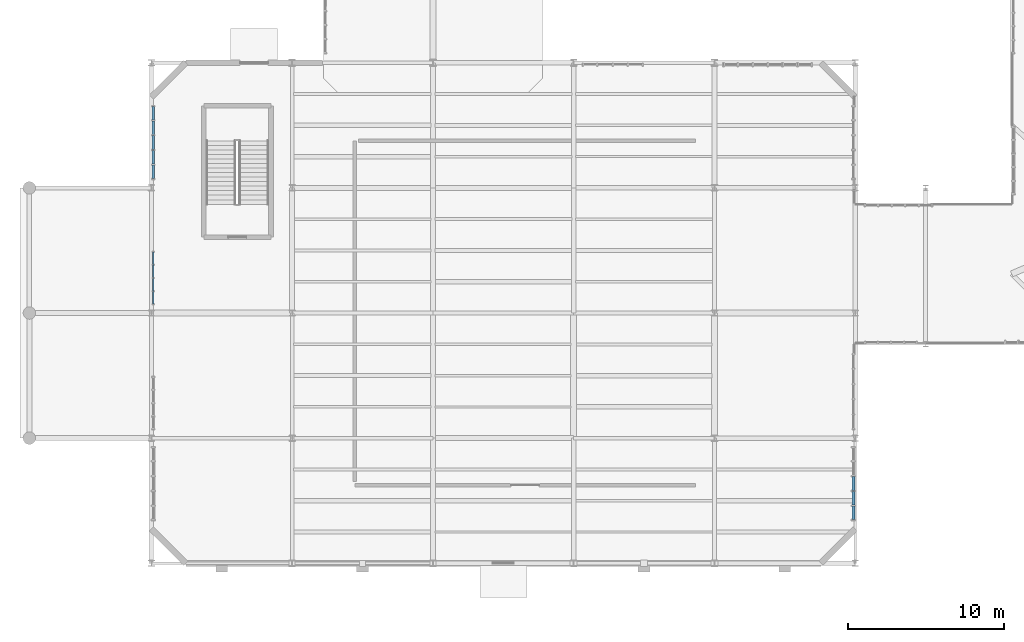
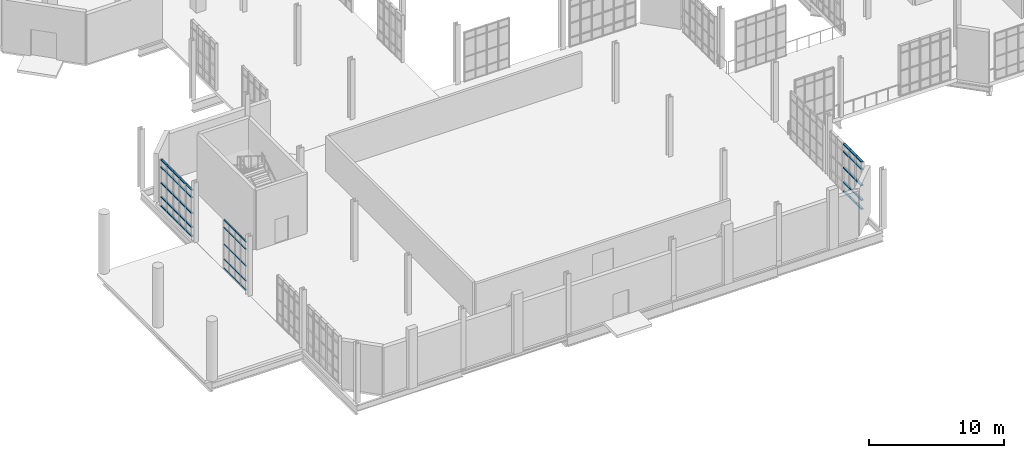
# One storey, part 112 of 189: 60 members, 3 elements without a shape of their own.
"""IFC4 building model written with IfcOpenShell, lengths in metres."""

from ifc_helpers import new_model, si_unit, direction, frame, origin, origin_2d, place, context, subcontext, project, spatial, hollow_rectangle, extrude, material, layer, layer_set, material_profile, profile_set, type_object, element, aggregate, save


model = new_model("IFC4")

# Units and contexts
model_context = context("Model", 3, precision=1e-05, world=origin(), true_north=direction((0.0, 1.0)))
body_context = subcontext(model_context, "Body", "Model", "MODEL_VIEW")
ifc_project = project(units=[si_unit("LENGTHUNIT", "METRE"), si_unit("AREAUNIT", "SQUARE_METRE"), si_unit("VOLUMEUNIT", "CUBIC_METRE"), si_unit("PLANEANGLEUNIT", "RADIAN"), si_unit("MASSUNIT", "GRAM", prefix="KILO"), si_unit("THERMODYNAMICTEMPERATUREUNIT", "KELVIN"), si_unit("POWERUNIT", "WATT")], contexts=[model_context])

# Site, building, storey
site_placement = place(None, origin())
site = spatial("IfcSite", under=ifc_project, at=site_placement, CompositionType="ELEMENT")
building_placement = place(site_placement, origin())
building = spatial("IfcBuilding", under=site, at=building_placement, Name="Zelmaris Science Centre", CompositionType="ELEMENT")
storey_placement = place(building_placement, origin())
storey = spatial("IfcBuildingStorey", under=building, at=storey_placement, Name="L00", CompositionType="ELEMENT", Elevation=0.0)

# Curtain wall, members
ifc_material = material(Name="Anodised architectural aluminium 6063-T6", Category="aluminium")
ifc_layer_1 = layer(ifc_material, 0.219970703125, Name="Anodised architectural aluminium 6063-T6")
ifc_layer_set_1 = layer_set([ifc_layer_1], Name="Anodised architectural aluminium 6063-T6")
curtain_wall_type_1 = type_object("IfcCurtainWallType", Name="Curtain Wall CW-04", PredefinedType="USERDEFINED", material=ifc_layer_set_1)
curtain_wall_1_placement = place(storey_placement, origin())
curtain_wall_1 = element("IfcCurtainWall", 1, at=curtain_wall_1_placement, inside=storey, type_object=curtain_wall_type_1, Name="L00 Unitised curtain wall 4", ObjectType="GLAZED CURTAIN WALL", PredefinedType="USERDEFINED")
ifc_material_profile_1 = material_profile(ifc_material, hollow_rectangle(XDim=0.06005859375, YDim=0.110107421875, WallThickness=0.0029296875, at=origin_2d()), Name="ALU-TRN-60X110")
ifc_profile_set_1 = profile_set([ifc_material_profile_1], Name="Anodised architectural aluminium 6063-T6")
member_type_1 = type_object("IfcMemberType", Name="ALU-TRN-60X110", PredefinedType="USERDEFINED", material=ifc_profile_set_1)
member_1_placement = place(storey_placement, frame((9.1201171875, 24.592041015625, 0.010986328125), z_axis=(0.0, 1.0, 0.0), x_axis=(0.0, 0.0, 1.0)))
member_1 = element("IfcMember", 2, at=member_1_placement, type_object=member_type_1, Name="CW-04 transom 1.1", ObjectType="TRANSOM", PredefinedType="USERDEFINED", context=body_context, shape_type="SweptSolid", body=[
    extrude(hollow_rectangle(XDim=0.06005859375, YDim=0.110107421875, WallThickness=0.0029296875, at=origin_2d()), origin(), (0.0, 0.0, 1.0), 0.77197265625),
])
member_2_placement = place(storey_placement, frame((9.1201171875, 24.592041015625, 0.8349609375), z_axis=(0.0, 1.0, 0.0), x_axis=(0.0, 0.0, 1.0)))
member_2 = element("IfcMember", 3, at=member_2_placement, type_object=member_type_1, Name="CW-04 transom 1.2", ObjectType="TRANSOM", PredefinedType="USERDEFINED", context=body_context, shape_type="SweptSolid", body=[
    extrude(hollow_rectangle(XDim=0.06005859375, YDim=0.110107421875, WallThickness=0.0029296875, at=origin_2d()), origin(), (0.0, 0.0, 1.0), 0.77197265625),
])
member_3_placement = place(storey_placement, frame((9.1201171875, 24.592041015625, 2.1884765625), z_axis=(0.0, 1.0, 0.0), x_axis=(0.0, 0.0, 1.0)))
member_3 = element("IfcMember", 4, at=member_3_placement, type_object=member_type_1, Name="CW-04 transom 1.3", ObjectType="TRANSOM", PredefinedType="USERDEFINED", context=body_context, shape_type="SweptSolid", body=[
    extrude(hollow_rectangle(XDim=0.06005859375, YDim=0.110107421875, WallThickness=0.0029296875, at=origin_2d()), origin(), (0.0, 0.0, 1.0), 0.77197265625),
])
member_4_placement = place(storey_placement, frame((9.1201171875, 24.592041015625, 3.69189453125), z_axis=(0.0, 1.0, 0.0), x_axis=(0.0, 0.0, 1.0)))
member_4 = element("IfcMember", 5, at=member_4_placement, type_object=member_type_1, Name="CW-04 transom 1.4", ObjectType="TRANSOM", PredefinedType="USERDEFINED", context=body_context, shape_type="SweptSolid", body=[
    extrude(hollow_rectangle(XDim=0.06005859375, YDim=0.110107421875, WallThickness=0.0029296875, at=origin_2d()), origin(), (0.0, 0.0, 1.0), 0.77197265625),
])
member_5_placement = place(storey_placement, frame((9.1201171875, 24.592041015625, 4.365966796875), z_axis=(0.0, 1.0, 0.0), x_axis=(0.0, 0.0, 1.0)))
member_5 = element("IfcMember", 6, at=member_5_placement, type_object=member_type_1, Name="CW-04 transom 1.5", ObjectType="TRANSOM", PredefinedType="USERDEFINED", context=body_context, shape_type="SweptSolid", body=[
    extrude(hollow_rectangle(XDim=0.06005859375, YDim=0.110107421875, WallThickness=0.0029296875, at=origin_2d()), origin(), (0.0, 0.0, 1.0), 0.77197265625),
])
member_6_placement = place(storey_placement, frame((9.1201171875, 25.416015625, 0.010986328125), z_axis=(0.0, 1.0, 0.0), x_axis=(0.0, 0.0, 1.0)))
member_6 = element("IfcMember", 7, at=member_6_placement, type_object=member_type_1, Name="CW-04 transom 2.1", ObjectType="TRANSOM", PredefinedType="USERDEFINED", context=body_context, shape_type="SweptSolid", body=[
    extrude(hollow_rectangle(XDim=0.06005859375, YDim=0.110107421875, WallThickness=0.0029296875, at=origin_2d()), origin(), (0.0, 0.0, 1.0), 0.798095703125),
])
member_7_placement = place(storey_placement, frame((9.1201171875, 25.416015625, 0.8349609375), z_axis=(0.0, 1.0, 0.0), x_axis=(0.0, 0.0, 1.0)))
member_7 = element("IfcMember", 8, at=member_7_placement, type_object=member_type_1, Name="CW-04 transom 2.2", ObjectType="TRANSOM", PredefinedType="USERDEFINED", context=body_context, shape_type="SweptSolid", body=[
    extrude(hollow_rectangle(XDim=0.06005859375, YDim=0.110107421875, WallThickness=0.0029296875, at=origin_2d()), origin(), (0.0, 0.0, 1.0), 0.798095703125),
])
member_8_placement = place(storey_placement, frame((9.1201171875, 25.416015625, 2.1884765625), z_axis=(0.0, 1.0, 0.0), x_axis=(0.0, 0.0, 1.0)))
member_8 = element("IfcMember", 9, at=member_8_placement, type_object=member_type_1, Name="CW-04 transom 2.3", ObjectType="TRANSOM", PredefinedType="USERDEFINED", context=body_context, shape_type="SweptSolid", body=[
    extrude(hollow_rectangle(XDim=0.06005859375, YDim=0.110107421875, WallThickness=0.0029296875, at=origin_2d()), origin(), (0.0, 0.0, 1.0), 0.798095703125),
])
member_9_placement = place(storey_placement, frame((9.1201171875, 25.416015625, 3.69189453125), z_axis=(0.0, 1.0, 0.0), x_axis=(0.0, 0.0, 1.0)))
member_9 = element("IfcMember", 10, at=member_9_placement, type_object=member_type_1, Name="CW-04 transom 2.4", ObjectType="TRANSOM", PredefinedType="USERDEFINED", context=body_context, shape_type="SweptSolid", body=[
    extrude(hollow_rectangle(XDim=0.06005859375, YDim=0.110107421875, WallThickness=0.0029296875, at=origin_2d()), origin(), (0.0, 0.0, 1.0), 0.798095703125),
])
member_10_placement = place(storey_placement, frame((9.1201171875, 25.416015625, 4.365966796875), z_axis=(0.0, 1.0, 0.0), x_axis=(0.0, 0.0, 1.0)))
member_10 = element("IfcMember", 11, at=member_10_placement, type_object=member_type_1, Name="CW-04 transom 2.5", ObjectType="TRANSOM", PredefinedType="USERDEFINED", context=body_context, shape_type="SweptSolid", body=[
    extrude(hollow_rectangle(XDim=0.06005859375, YDim=0.110107421875, WallThickness=0.0029296875, at=origin_2d()), origin(), (0.0, 0.0, 1.0), 0.798095703125),
])
member_11_placement = place(storey_placement, frame((9.1201171875, 26.26611328125, 0.010986328125), z_axis=(0.0, 1.0, 0.0), x_axis=(0.0, 0.0, 1.0)))
member_11 = element("IfcMember", 12, at=member_11_placement, type_object=member_type_1, Name="CW-04 transom 3.1", ObjectType="TRANSOM", PredefinedType="USERDEFINED", context=body_context, shape_type="SweptSolid", body=[
    extrude(hollow_rectangle(XDim=0.06005859375, YDim=0.110107421875, WallThickness=0.0029296875, at=origin_2d()), origin(), (0.0, 0.0, 1.0), 0.7978515625),
])
member_12_placement = place(storey_placement, frame((9.1201171875, 26.26611328125, 0.8349609375), z_axis=(0.0, 1.0, 0.0), x_axis=(0.0, 0.0, 1.0)))
member_12 = element("IfcMember", 13, at=member_12_placement, type_object=member_type_1, Name="CW-04 transom 3.2", ObjectType="TRANSOM", PredefinedType="USERDEFINED", context=body_context, shape_type="SweptSolid", body=[
    extrude(hollow_rectangle(XDim=0.06005859375, YDim=0.110107421875, WallThickness=0.0029296875, at=origin_2d()), origin(), (0.0, 0.0, 1.0), 0.7978515625),
])
member_13_placement = place(storey_placement, frame((9.1201171875, 26.26611328125, 2.1884765625), z_axis=(0.0, 1.0, 0.0), x_axis=(0.0, 0.0, 1.0)))
member_13 = element("IfcMember", 14, at=member_13_placement, type_object=member_type_1, Name="CW-04 transom 3.3", ObjectType="TRANSOM", PredefinedType="USERDEFINED", context=body_context, shape_type="SweptSolid", body=[
    extrude(hollow_rectangle(XDim=0.06005859375, YDim=0.110107421875, WallThickness=0.0029296875, at=origin_2d()), origin(), (0.0, 0.0, 1.0), 0.7978515625),
])
member_14_placement = place(storey_placement, frame((9.1201171875, 26.26611328125, 3.69189453125), z_axis=(0.0, 1.0, 0.0), x_axis=(0.0, 0.0, 1.0)))
member_14 = element("IfcMember", 15, at=member_14_placement, type_object=member_type_1, Name="CW-04 transom 3.4", ObjectType="TRANSOM", PredefinedType="USERDEFINED", context=body_context, shape_type="SweptSolid", body=[
    extrude(hollow_rectangle(XDim=0.06005859375, YDim=0.110107421875, WallThickness=0.0029296875, at=origin_2d()), origin(), (0.0, 0.0, 1.0), 0.7978515625),
])
member_15_placement = place(storey_placement, frame((9.1201171875, 26.26611328125, 4.365966796875), z_axis=(0.0, 1.0, 0.0), x_axis=(0.0, 0.0, 1.0)))
member_15 = element("IfcMember", 16, at=member_15_placement, type_object=member_type_1, Name="CW-04 transom 3.5", ObjectType="TRANSOM", PredefinedType="USERDEFINED", context=body_context, shape_type="SweptSolid", body=[
    extrude(hollow_rectangle(XDim=0.06005859375, YDim=0.110107421875, WallThickness=0.0029296875, at=origin_2d()), origin(), (0.0, 0.0, 1.0), 0.7978515625),
])
member_16_placement = place(storey_placement, frame((9.1201171875, 27.115966796875, 0.010986328125), z_axis=(0.0, 1.0, 0.0), x_axis=(0.0, 0.0, 1.0)))
member_16 = element("IfcMember", 17, at=member_16_placement, type_object=member_type_1, Name="CW-04 transom 4.1", ObjectType="TRANSOM", PredefinedType="USERDEFINED", context=body_context, shape_type="SweptSolid", body=[
    extrude(hollow_rectangle(XDim=0.06005859375, YDim=0.110107421875, WallThickness=0.0029296875, at=origin_2d()), origin(), (0.0, 0.0, 1.0), 0.77197265625),
])
member_17_placement = place(storey_placement, frame((9.1201171875, 27.115966796875, 0.8349609375), z_axis=(0.0, 1.0, 0.0), x_axis=(0.0, 0.0, 1.0)))
member_17 = element("IfcMember", 18, at=member_17_placement, type_object=member_type_1, Name="CW-04 transom 4.2", ObjectType="TRANSOM", PredefinedType="USERDEFINED", context=body_context, shape_type="SweptSolid", body=[
    extrude(hollow_rectangle(XDim=0.06005859375, YDim=0.110107421875, WallThickness=0.0029296875, at=origin_2d()), origin(), (0.0, 0.0, 1.0), 0.77197265625),
])
member_18_placement = place(storey_placement, frame((9.1201171875, 27.115966796875, 2.1884765625), z_axis=(0.0, 1.0, 0.0), x_axis=(0.0, 0.0, 1.0)))
member_18 = element("IfcMember", 19, at=member_18_placement, type_object=member_type_1, Name="CW-04 transom 4.3", ObjectType="TRANSOM", PredefinedType="USERDEFINED", context=body_context, shape_type="SweptSolid", body=[
    extrude(hollow_rectangle(XDim=0.06005859375, YDim=0.110107421875, WallThickness=0.0029296875, at=origin_2d()), origin(), (0.0, 0.0, 1.0), 0.77197265625),
])
member_19_placement = place(storey_placement, frame((9.1201171875, 27.115966796875, 3.69189453125), z_axis=(0.0, 1.0, 0.0), x_axis=(0.0, 0.0, 1.0)))
member_19 = element("IfcMember", 20, at=member_19_placement, type_object=member_type_1, Name="CW-04 transom 4.4", ObjectType="TRANSOM", PredefinedType="USERDEFINED", context=body_context, shape_type="SweptSolid", body=[
    extrude(hollow_rectangle(XDim=0.06005859375, YDim=0.110107421875, WallThickness=0.0029296875, at=origin_2d()), origin(), (0.0, 0.0, 1.0), 0.77197265625),
])
member_20_placement = place(storey_placement, frame((9.1201171875, 27.115966796875, 4.365966796875), z_axis=(0.0, 1.0, 0.0), x_axis=(0.0, 0.0, 1.0)))
member_20 = element("IfcMember", 21, at=member_20_placement, type_object=member_type_1, Name="CW-04 transom 4.5", ObjectType="TRANSOM", PredefinedType="USERDEFINED", context=body_context, shape_type="SweptSolid", body=[
    extrude(hollow_rectangle(XDim=0.06005859375, YDim=0.110107421875, WallThickness=0.0029296875, at=origin_2d()), origin(), (0.0, 0.0, 1.0), 0.77197265625),
])
aggregate(curtain_wall_1, [member_1, member_2, member_3, member_4, member_5, member_6, member_7, member_8, member_9, member_10, member_11, member_12, member_13, member_14, member_15, member_16, member_17, member_18, member_19, member_20])

ifc_layer_2 = layer(ifc_material, 0.199951171875, Name="Anodised architectural aluminium 6063-T6")
ifc_layer_set_2 = layer_set([ifc_layer_2], Name="Anodised architectural aluminium 6063-T6")
curtain_wall_type_2 = type_object("IfcCurtainWallType", Name="Curtain Wall CW-02", PredefinedType="USERDEFINED", material=ifc_layer_set_2)
curtain_wall_2_placement = place(storey_placement, origin())
curtain_wall_2 = element("IfcCurtainWall", 22, at=curtain_wall_2_placement, inside=storey, type_object=curtain_wall_type_2, Name="L00 Unitised curtain wall 6", ObjectType="GLAZED CURTAIN WALL", PredefinedType="USERDEFINED")
ifc_material_profile_2 = material_profile(ifc_material, hollow_rectangle(XDim=0.074951171875, YDim=0.159912109375, WallThickness=0.00390625, at=origin_2d()), Name="ALU-TRN-75X160")
ifc_profile_set_2 = profile_set([ifc_material_profile_2], Name="Anodised architectural aluminium 6063-T6")
member_type_2 = type_object("IfcMemberType", Name="ALU-TRN-75X160", PredefinedType="USERDEFINED", material=ifc_profile_set_2)
member_21_placement = place(storey_placement, frame((9.1201171875, 32.60693359375, 0.0185546875), z_axis=(0.0, 1.0, 0.0), x_axis=(0.0, 0.0, 1.0)))
member_21 = element("IfcMember", 23, at=member_21_placement, type_object=member_type_2, Name="CW-02 transom 1.1", ObjectType="TRANSOM", PredefinedType="USERDEFINED", context=body_context, shape_type="SweptSolid", body=[
    extrude(hollow_rectangle(XDim=0.074951171875, YDim=0.159912109375, WallThickness=0.00390625, at=origin_2d()), origin(), (0.0, 0.0, 1.0), 0.843505859375),
])
member_22_placement = place(storey_placement, frame((9.1201171875, 32.60693359375, 0.8349609375), z_axis=(0.0, 1.0, 0.0), x_axis=(0.0, 0.0, 1.0)))
member_22 = element("IfcMember", 24, at=member_22_placement, type_object=member_type_2, Name="CW-02 transom 1.2", ObjectType="TRANSOM", PredefinedType="USERDEFINED", context=body_context, shape_type="SweptSolid", body=[
    extrude(hollow_rectangle(XDim=0.074951171875, YDim=0.159912109375, WallThickness=0.00390625, at=origin_2d()), origin(), (0.0, 0.0, 1.0), 0.843505859375),
])
member_23_placement = place(storey_placement, frame((9.1201171875, 32.60693359375, 2.10546875), z_axis=(0.0, 1.0, 0.0), x_axis=(0.0, 0.0, 1.0)))
member_23 = element("IfcMember", 25, at=member_23_placement, type_object=member_type_2, Name="CW-02 transom 1.3", ObjectType="TRANSOM", PredefinedType="USERDEFINED", context=body_context, shape_type="SweptSolid", body=[
    extrude(hollow_rectangle(XDim=0.074951171875, YDim=0.159912109375, WallThickness=0.00390625, at=origin_2d()), origin(), (0.0, 0.0, 1.0), 0.843505859375),
])
member_24_placement = place(storey_placement, frame((9.1201171875, 32.60693359375, 3.52587890625), z_axis=(0.0, 1.0, 0.0), x_axis=(0.0, 0.0, 1.0)))
member_24 = element("IfcMember", 26, at=member_24_placement, type_object=member_type_2, Name="CW-02 transom 1.4", ObjectType="TRANSOM", PredefinedType="USERDEFINED", context=body_context, shape_type="SweptSolid", body=[
    extrude(hollow_rectangle(XDim=0.074951171875, YDim=0.159912109375, WallThickness=0.00390625, at=origin_2d()), origin(), (0.0, 0.0, 1.0), 0.843505859375),
])
member_25_placement = place(storey_placement, frame((9.1201171875, 32.60693359375, 4.1923828125), z_axis=(0.0, 1.0, 0.0), x_axis=(0.0, 0.0, 1.0)))
member_25 = element("IfcMember", 27, at=member_25_placement, type_object=member_type_2, Name="CW-02 transom 1.5", ObjectType="TRANSOM", PredefinedType="USERDEFINED", context=body_context, shape_type="SweptSolid", body=[
    extrude(hollow_rectangle(XDim=0.074951171875, YDim=0.159912109375, WallThickness=0.00390625, at=origin_2d()), origin(), (0.0, 0.0, 1.0), 0.843505859375),
])
member_26_placement = place(storey_placement, frame((9.1201171875, 33.517578125, 0.0185546875), z_axis=(0.0, 1.0, 0.0), x_axis=(0.0, 0.0, 1.0)))
member_26 = element("IfcMember", 28, at=member_26_placement, type_object=member_type_2, Name="CW-02 transom 2.1", ObjectType="TRANSOM", PredefinedType="USERDEFINED", context=body_context, shape_type="SweptSolid", body=[
    extrude(hollow_rectangle(XDim=0.074951171875, YDim=0.159912109375, WallThickness=0.00390625, at=origin_2d()), origin(), (0.0, 0.0, 1.0), 0.876953125),
])
member_27_placement = place(storey_placement, frame((9.1201171875, 33.517578125, 0.8349609375), z_axis=(0.0, 1.0, 0.0), x_axis=(0.0, 0.0, 1.0)))
member_27 = element("IfcMember", 29, at=member_27_placement, type_object=member_type_2, Name="CW-02 transom 2.2", ObjectType="TRANSOM", PredefinedType="USERDEFINED", context=body_context, shape_type="SweptSolid", body=[
    extrude(hollow_rectangle(XDim=0.074951171875, YDim=0.159912109375, WallThickness=0.00390625, at=origin_2d()), origin(), (0.0, 0.0, 1.0), 0.876953125),
])
member_28_placement = place(storey_placement, frame((9.1201171875, 33.517578125, 2.10546875), z_axis=(0.0, 1.0, 0.0), x_axis=(0.0, 0.0, 1.0)))
member_28 = element("IfcMember", 30, at=member_28_placement, type_object=member_type_2, Name="CW-02 transom 2.3", ObjectType="TRANSOM", PredefinedType="USERDEFINED", context=body_context, shape_type="SweptSolid", body=[
    extrude(hollow_rectangle(XDim=0.074951171875, YDim=0.159912109375, WallThickness=0.00390625, at=origin_2d()), origin(), (0.0, 0.0, 1.0), 0.876953125),
])
member_29_placement = place(storey_placement, frame((9.1201171875, 33.517578125, 3.52587890625), z_axis=(0.0, 1.0, 0.0), x_axis=(0.0, 0.0, 1.0)))
member_29 = element("IfcMember", 31, at=member_29_placement, type_object=member_type_2, Name="CW-02 transom 2.4", ObjectType="TRANSOM", PredefinedType="USERDEFINED", context=body_context, shape_type="SweptSolid", body=[
    extrude(hollow_rectangle(XDim=0.074951171875, YDim=0.159912109375, WallThickness=0.00390625, at=origin_2d()), origin(), (0.0, 0.0, 1.0), 0.876953125),
])
member_30_placement = place(storey_placement, frame((9.1201171875, 33.517578125, 4.1923828125), z_axis=(0.0, 1.0, 0.0), x_axis=(0.0, 0.0, 1.0)))
member_30 = element("IfcMember", 32, at=member_30_placement, type_object=member_type_2, Name="CW-02 transom 2.5", ObjectType="TRANSOM", PredefinedType="USERDEFINED", context=body_context, shape_type="SweptSolid", body=[
    extrude(hollow_rectangle(XDim=0.074951171875, YDim=0.159912109375, WallThickness=0.00390625, at=origin_2d()), origin(), (0.0, 0.0, 1.0), 0.876953125),
])
member_31_placement = place(storey_placement, frame((9.1201171875, 34.46142578125, 0.0185546875), z_axis=(0.0, 1.0, 0.0), x_axis=(0.0, 0.0, 1.0)))
member_31 = element("IfcMember", 33, at=member_31_placement, type_object=member_type_2, Name="CW-02 transom 3.1", ObjectType="TRANSOM", PredefinedType="USERDEFINED", context=body_context, shape_type="SweptSolid", body=[
    extrude(hollow_rectangle(XDim=0.074951171875, YDim=0.159912109375, WallThickness=0.00390625, at=origin_2d()), origin(), (0.0, 0.0, 1.0), 0.876953125),
])
member_32_placement = place(storey_placement, frame((9.1201171875, 34.46142578125, 0.8349609375), z_axis=(0.0, 1.0, 0.0), x_axis=(0.0, 0.0, 1.0)))
member_32 = element("IfcMember", 34, at=member_32_placement, type_object=member_type_2, Name="CW-02 transom 3.2", ObjectType="TRANSOM", PredefinedType="USERDEFINED", context=body_context, shape_type="SweptSolid", body=[
    extrude(hollow_rectangle(XDim=0.074951171875, YDim=0.159912109375, WallThickness=0.00390625, at=origin_2d()), origin(), (0.0, 0.0, 1.0), 0.876953125),
])
member_33_placement = place(storey_placement, frame((9.1201171875, 34.46142578125, 2.10546875), z_axis=(0.0, 1.0, 0.0), x_axis=(0.0, 0.0, 1.0)))
member_33 = element("IfcMember", 35, at=member_33_placement, type_object=member_type_2, Name="CW-02 transom 3.3", ObjectType="TRANSOM", PredefinedType="USERDEFINED", context=body_context, shape_type="SweptSolid", body=[
    extrude(hollow_rectangle(XDim=0.074951171875, YDim=0.159912109375, WallThickness=0.00390625, at=origin_2d()), origin(), (0.0, 0.0, 1.0), 0.876953125),
])
member_34_placement = place(storey_placement, frame((9.1201171875, 34.46142578125, 3.52587890625), z_axis=(0.0, 1.0, 0.0), x_axis=(0.0, 0.0, 1.0)))
member_34 = element("IfcMember", 36, at=member_34_placement, type_object=member_type_2, Name="CW-02 transom 3.4", ObjectType="TRANSOM", PredefinedType="USERDEFINED", context=body_context, shape_type="SweptSolid", body=[
    extrude(hollow_rectangle(XDim=0.074951171875, YDim=0.159912109375, WallThickness=0.00390625, at=origin_2d()), origin(), (0.0, 0.0, 1.0), 0.876953125),
])
member_35_placement = place(storey_placement, frame((9.1201171875, 34.46142578125, 4.1923828125), z_axis=(0.0, 1.0, 0.0), x_axis=(0.0, 0.0, 1.0)))
member_35 = element("IfcMember", 37, at=member_35_placement, type_object=member_type_2, Name="CW-02 transom 3.5", ObjectType="TRANSOM", PredefinedType="USERDEFINED", context=body_context, shape_type="SweptSolid", body=[
    extrude(hollow_rectangle(XDim=0.074951171875, YDim=0.159912109375, WallThickness=0.00390625, at=origin_2d()), origin(), (0.0, 0.0, 1.0), 0.876953125),
])
member_36_placement = place(storey_placement, frame((9.1201171875, 35.405517578125, 0.0185546875), z_axis=(0.0, 1.0, 0.0), x_axis=(0.0, 0.0, 1.0)))
member_36 = element("IfcMember", 38, at=member_36_placement, type_object=member_type_2, Name="CW-02 transom 4.1", ObjectType="TRANSOM", PredefinedType="USERDEFINED", context=body_context, shape_type="SweptSolid", body=[
    extrude(hollow_rectangle(XDim=0.074951171875, YDim=0.159912109375, WallThickness=0.00390625, at=origin_2d()), origin(), (0.0, 0.0, 1.0), 0.876953125),
])
member_37_placement = place(storey_placement, frame((9.1201171875, 35.405517578125, 0.8349609375), z_axis=(0.0, 1.0, 0.0), x_axis=(0.0, 0.0, 1.0)))
member_37 = element("IfcMember", 39, at=member_37_placement, type_object=member_type_2, Name="CW-02 transom 4.2", ObjectType="TRANSOM", PredefinedType="USERDEFINED", context=body_context, shape_type="SweptSolid", body=[
    extrude(hollow_rectangle(XDim=0.074951171875, YDim=0.159912109375, WallThickness=0.00390625, at=origin_2d()), origin(), (0.0, 0.0, 1.0), 0.876953125),
])
member_38_placement = place(storey_placement, frame((9.1201171875, 35.405517578125, 2.10546875), z_axis=(0.0, 1.0, 0.0), x_axis=(0.0, 0.0, 1.0)))
member_38 = element("IfcMember", 40, at=member_38_placement, type_object=member_type_2, Name="CW-02 transom 4.3", ObjectType="TRANSOM", PredefinedType="USERDEFINED", context=body_context, shape_type="SweptSolid", body=[
    extrude(hollow_rectangle(XDim=0.074951171875, YDim=0.159912109375, WallThickness=0.00390625, at=origin_2d()), origin(), (0.0, 0.0, 1.0), 0.876953125),
])
member_39_placement = place(storey_placement, frame((9.1201171875, 35.405517578125, 3.52587890625), z_axis=(0.0, 1.0, 0.0), x_axis=(0.0, 0.0, 1.0)))
member_39 = element("IfcMember", 41, at=member_39_placement, type_object=member_type_2, Name="CW-02 transom 4.4", ObjectType="TRANSOM", PredefinedType="USERDEFINED", context=body_context, shape_type="SweptSolid", body=[
    extrude(hollow_rectangle(XDim=0.074951171875, YDim=0.159912109375, WallThickness=0.00390625, at=origin_2d()), origin(), (0.0, 0.0, 1.0), 0.876953125),
])
member_40_placement = place(storey_placement, frame((9.1201171875, 35.405517578125, 4.1923828125), z_axis=(0.0, 1.0, 0.0), x_axis=(0.0, 0.0, 1.0)))
member_40 = element("IfcMember", 42, at=member_40_placement, type_object=member_type_2, Name="CW-02 transom 4.5", ObjectType="TRANSOM", PredefinedType="USERDEFINED", context=body_context, shape_type="SweptSolid", body=[
    extrude(hollow_rectangle(XDim=0.074951171875, YDim=0.159912109375, WallThickness=0.00390625, at=origin_2d()), origin(), (0.0, 0.0, 1.0), 0.876953125),
])
member_41_placement = place(storey_placement, frame((9.1201171875, 36.349609375, 0.0185546875), z_axis=(0.0, 1.0, 0.0), x_axis=(0.0, 0.0, 1.0)))
member_41 = element("IfcMember", 43, at=member_41_placement, type_object=member_type_2, Name="CW-02 transom 5.1", ObjectType="TRANSOM", PredefinedType="USERDEFINED", context=body_context, shape_type="SweptSolid", body=[
    extrude(hollow_rectangle(XDim=0.074951171875, YDim=0.159912109375, WallThickness=0.00390625, at=origin_2d()), origin(), (0.0, 0.0, 1.0), 0.843505859375),
])
member_42_placement = place(storey_placement, frame((9.1201171875, 36.349609375, 0.8349609375), z_axis=(0.0, 1.0, 0.0), x_axis=(0.0, 0.0, 1.0)))
member_42 = element("IfcMember", 44, at=member_42_placement, type_object=member_type_2, Name="CW-02 transom 5.2", ObjectType="TRANSOM", PredefinedType="USERDEFINED", context=body_context, shape_type="SweptSolid", body=[
    extrude(hollow_rectangle(XDim=0.074951171875, YDim=0.159912109375, WallThickness=0.00390625, at=origin_2d()), origin(), (0.0, 0.0, 1.0), 0.843505859375),
])
member_43_placement = place(storey_placement, frame((9.1201171875, 36.349609375, 2.10546875), z_axis=(0.0, 1.0, 0.0), x_axis=(0.0, 0.0, 1.0)))
member_43 = element("IfcMember", 45, at=member_43_placement, type_object=member_type_2, Name="CW-02 transom 5.3", ObjectType="TRANSOM", PredefinedType="USERDEFINED", context=body_context, shape_type="SweptSolid", body=[
    extrude(hollow_rectangle(XDim=0.074951171875, YDim=0.159912109375, WallThickness=0.00390625, at=origin_2d()), origin(), (0.0, 0.0, 1.0), 0.843505859375),
])
member_44_placement = place(storey_placement, frame((9.1201171875, 36.349609375, 3.52587890625), z_axis=(0.0, 1.0, 0.0), x_axis=(0.0, 0.0, 1.0)))
member_44 = element("IfcMember", 46, at=member_44_placement, type_object=member_type_2, Name="CW-02 transom 5.4", ObjectType="TRANSOM", PredefinedType="USERDEFINED", context=body_context, shape_type="SweptSolid", body=[
    extrude(hollow_rectangle(XDim=0.074951171875, YDim=0.159912109375, WallThickness=0.00390625, at=origin_2d()), origin(), (0.0, 0.0, 1.0), 0.843505859375),
])
member_45_placement = place(storey_placement, frame((9.1201171875, 36.349609375, 4.1923828125), z_axis=(0.0, 1.0, 0.0), x_axis=(0.0, 0.0, 1.0)))
member_45 = element("IfcMember", 47, at=member_45_placement, type_object=member_type_2, Name="CW-02 transom 5.5", ObjectType="TRANSOM", PredefinedType="USERDEFINED", context=body_context, shape_type="SweptSolid", body=[
    extrude(hollow_rectangle(XDim=0.074951171875, YDim=0.159912109375, WallThickness=0.00390625, at=origin_2d()), origin(), (0.0, 0.0, 1.0), 0.843505859375),
])
aggregate(curtain_wall_2, [member_21, member_22, member_23, member_24, member_25, member_26, member_27, member_28, member_29, member_30, member_31, member_32, member_33, member_34, member_35, member_36, member_37, member_38, member_39, member_40, member_41, member_42, member_43, member_44, member_45])

ifc_layer_3 = layer(ifc_material, 0.18994140625, Name="Anodised architectural aluminium 6063-T6")
ifc_layer_set_3 = layer_set([ifc_layer_3], Name="Anodised architectural aluminium 6063-T6")
curtain_wall_type_3 = type_object("IfcCurtainWallType", Name="Curtain Wall CW-01", PredefinedType="USERDEFINED", material=ifc_layer_set_3)
curtain_wall_3_placement = place(storey_placement, origin())
curtain_wall_3 = element("IfcCurtainWall", 48, at=curtain_wall_3_placement, inside=storey, type_object=curtain_wall_type_3, Name="L00 Unitised curtain wall 125", ObjectType="GLAZED CURTAIN WALL", PredefinedType="USERDEFINED")
ifc_material_profile_3 = material_profile(ifc_material, hollow_rectangle(XDim=0.080078125, YDim=0.18994140625, WallThickness=0.00439453125, at=origin_2d()), Name="ALU-TRN-80X190")
ifc_profile_set_3 = profile_set([ifc_material_profile_3], Name="Anodised architectural aluminium 6063-T6")
member_type_3 = type_object("IfcMemberType", Name="ALU-TRN-80X190", PredefinedType="USERDEFINED", material=ifc_profile_set_3)
member_46_placement = place(storey_placement, frame((53.8798828125, 13.535888671875, 0.02099609375), z_axis=(0.0, -1.0, 0.0), x_axis=(0.0, 0.0, 1.0)))
member_46 = element("IfcMember", 49, at=member_46_placement, type_object=member_type_3, Name="CW-01 transom 3.1", ObjectType="TRANSOM", PredefinedType="USERDEFINED", context=body_context, shape_type="SweptSolid", body=[
    extrude(hollow_rectangle(XDim=0.080078125, YDim=0.18994140625, WallThickness=0.00439453125, at=origin_2d()), origin(), (0.0, 0.0, 1.0), 0.871826171875),
])
member_47_placement = place(storey_placement, frame((53.8798828125, 13.535888671875, 0.8349609375), z_axis=(0.0, -1.0, 0.0), x_axis=(0.0, 0.0, 1.0)))
member_47 = element("IfcMember", 50, at=member_47_placement, type_object=member_type_3, Name="CW-01 transom 3.2", ObjectType="TRANSOM", PredefinedType="USERDEFINED", context=body_context, shape_type="SweptSolid", body=[
    extrude(hollow_rectangle(XDim=0.080078125, YDim=0.18994140625, WallThickness=0.00439453125, at=origin_2d()), origin(), (0.0, 0.0, 1.0), 0.871826171875),
])
member_48_placement = place(storey_placement, frame((53.8798828125, 13.535888671875, 2.157958984375), z_axis=(0.0, -1.0, 0.0), x_axis=(0.0, 0.0, 1.0)))
member_48 = element("IfcMember", 51, at=member_48_placement, type_object=member_type_3, Name="CW-01 transom 3.3", ObjectType="TRANSOM", PredefinedType="USERDEFINED", context=body_context, shape_type="SweptSolid", body=[
    extrude(hollow_rectangle(XDim=0.080078125, YDim=0.18994140625, WallThickness=0.00439453125, at=origin_2d()), origin(), (0.0, 0.0, 1.0), 0.871826171875),
])
member_49_placement = place(storey_placement, frame((53.8798828125, 13.535888671875, 3.631103515625), z_axis=(0.0, -1.0, 0.0), x_axis=(0.0, 0.0, 1.0)))
member_49 = element("IfcMember", 52, at=member_49_placement, type_object=member_type_3, Name="CW-01 transom 3.4", ObjectType="TRANSOM", PredefinedType="USERDEFINED", context=body_context, shape_type="SweptSolid", body=[
    extrude(hollow_rectangle(XDim=0.080078125, YDim=0.18994140625, WallThickness=0.00439453125, at=origin_2d()), origin(), (0.0, 0.0, 1.0), 0.871826171875),
])
member_50_placement = place(storey_placement, frame((53.8798828125, 13.535888671875, 4.294921875), z_axis=(0.0, -1.0, 0.0), x_axis=(0.0, 0.0, 1.0)))
member_50 = element("IfcMember", 53, at=member_50_placement, type_object=member_type_3, Name="CW-01 transom 3.5", ObjectType="TRANSOM", PredefinedType="USERDEFINED", context=body_context, shape_type="SweptSolid", body=[
    extrude(hollow_rectangle(XDim=0.080078125, YDim=0.18994140625, WallThickness=0.00439453125, at=origin_2d()), origin(), (0.0, 0.0, 1.0), 0.871826171875),
])
member_51_placement = place(storey_placement, frame((53.8798828125, 12.592041015625, 0.02099609375), z_axis=(0.0, -1.0, 0.0), x_axis=(0.0, 0.0, 1.0)))
member_51 = element("IfcMember", 54, at=member_51_placement, type_object=member_type_3, Name="CW-01 transom 4.1", ObjectType="TRANSOM", PredefinedType="USERDEFINED", context=body_context, shape_type="SweptSolid", body=[
    extrude(hollow_rectangle(XDim=0.080078125, YDim=0.18994140625, WallThickness=0.00439453125, at=origin_2d()), origin(), (0.0, 0.0, 1.0), 0.8720703125),
])
member_52_placement = place(storey_placement, frame((53.8798828125, 12.592041015625, 0.8349609375), z_axis=(0.0, -1.0, 0.0), x_axis=(0.0, 0.0, 1.0)))
member_52 = element("IfcMember", 55, at=member_52_placement, type_object=member_type_3, Name="CW-01 transom 4.2", ObjectType="TRANSOM", PredefinedType="USERDEFINED", context=body_context, shape_type="SweptSolid", body=[
    extrude(hollow_rectangle(XDim=0.080078125, YDim=0.18994140625, WallThickness=0.00439453125, at=origin_2d()), origin(), (0.0, 0.0, 1.0), 0.8720703125),
])
member_53_placement = place(storey_placement, frame((53.8798828125, 12.592041015625, 2.157958984375), z_axis=(0.0, -1.0, 0.0), x_axis=(0.0, 0.0, 1.0)))
member_53 = element("IfcMember", 56, at=member_53_placement, type_object=member_type_3, Name="CW-01 transom 4.3", ObjectType="TRANSOM", PredefinedType="USERDEFINED", context=body_context, shape_type="SweptSolid", body=[
    extrude(hollow_rectangle(XDim=0.080078125, YDim=0.18994140625, WallThickness=0.00439453125, at=origin_2d()), origin(), (0.0, 0.0, 1.0), 0.8720703125),
])
member_54_placement = place(storey_placement, frame((53.8798828125, 12.592041015625, 3.631103515625), z_axis=(0.0, -1.0, 0.0), x_axis=(0.0, 0.0, 1.0)))
member_54 = element("IfcMember", 57, at=member_54_placement, type_object=member_type_3, Name="CW-01 transom 4.4", ObjectType="TRANSOM", PredefinedType="USERDEFINED", context=body_context, shape_type="SweptSolid", body=[
    extrude(hollow_rectangle(XDim=0.080078125, YDim=0.18994140625, WallThickness=0.00439453125, at=origin_2d()), origin(), (0.0, 0.0, 1.0), 0.8720703125),
])
member_55_placement = place(storey_placement, frame((53.8798828125, 12.592041015625, 4.294921875), z_axis=(0.0, -1.0, 0.0), x_axis=(0.0, 0.0, 1.0)))
member_55 = element("IfcMember", 58, at=member_55_placement, type_object=member_type_3, Name="CW-01 transom 4.5", ObjectType="TRANSOM", PredefinedType="USERDEFINED", context=body_context, shape_type="SweptSolid", body=[
    extrude(hollow_rectangle(XDim=0.080078125, YDim=0.18994140625, WallThickness=0.00439453125, at=origin_2d()), origin(), (0.0, 0.0, 1.0), 0.8720703125),
])
member_56_placement = place(storey_placement, frame((53.8798828125, 11.64794921875, 0.02099609375), z_axis=(0.0, -1.0, 0.0), x_axis=(0.0, 0.0, 1.0)))
member_56 = element("IfcMember", 59, at=member_56_placement, type_object=member_type_3, Name="CW-01 transom 5.1", ObjectType="TRANSOM", PredefinedType="USERDEFINED", context=body_context, shape_type="SweptSolid", body=[
    extrude(hollow_rectangle(XDim=0.080078125, YDim=0.18994140625, WallThickness=0.00439453125, at=origin_2d()), origin(), (0.0, 0.0, 1.0), 0.8359375),
])
member_57_placement = place(storey_placement, frame((53.8798828125, 11.64794921875, 0.8349609375), z_axis=(0.0, -1.0, 0.0), x_axis=(0.0, 0.0, 1.0)))
member_57 = element("IfcMember", 60, at=member_57_placement, type_object=member_type_3, Name="CW-01 transom 5.2", ObjectType="TRANSOM", PredefinedType="USERDEFINED", context=body_context, shape_type="SweptSolid", body=[
    extrude(hollow_rectangle(XDim=0.080078125, YDim=0.18994140625, WallThickness=0.00439453125, at=origin_2d()), origin(), (0.0, 0.0, 1.0), 0.8359375),
])
member_58_placement = place(storey_placement, frame((53.8798828125, 11.64794921875, 2.157958984375), z_axis=(0.0, -1.0, 0.0), x_axis=(0.0, 0.0, 1.0)))
member_58 = element("IfcMember", 61, at=member_58_placement, type_object=member_type_3, Name="CW-01 transom 5.3", ObjectType="TRANSOM", PredefinedType="USERDEFINED", context=body_context, shape_type="SweptSolid", body=[
    extrude(hollow_rectangle(XDim=0.080078125, YDim=0.18994140625, WallThickness=0.00439453125, at=origin_2d()), origin(), (0.0, 0.0, 1.0), 0.8359375),
])
member_59_placement = place(storey_placement, frame((53.8798828125, 11.64794921875, 3.631103515625), z_axis=(0.0, -1.0, 0.0), x_axis=(0.0, 0.0, 1.0)))
member_59 = element("IfcMember", 62, at=member_59_placement, type_object=member_type_3, Name="CW-01 transom 5.4", ObjectType="TRANSOM", PredefinedType="USERDEFINED", context=body_context, shape_type="SweptSolid", body=[
    extrude(hollow_rectangle(XDim=0.080078125, YDim=0.18994140625, WallThickness=0.00439453125, at=origin_2d()), origin(), (0.0, 0.0, 1.0), 0.8359375),
])
member_60_placement = place(storey_placement, frame((53.8798828125, 11.64794921875, 4.294921875), z_axis=(0.0, -1.0, 0.0), x_axis=(0.0, 0.0, 1.0)))
member_60 = element("IfcMember", 63, at=member_60_placement, type_object=member_type_3, Name="CW-01 transom 5.5", ObjectType="TRANSOM", PredefinedType="USERDEFINED", context=body_context, shape_type="SweptSolid", body=[
    extrude(hollow_rectangle(XDim=0.080078125, YDim=0.18994140625, WallThickness=0.00439453125, at=origin_2d()), origin(), (0.0, 0.0, 1.0), 0.8359375),
])
aggregate(curtain_wall_3, [member_46, member_47, member_48, member_49, member_50, member_51, member_52, member_53, member_54, member_55, member_56, member_57, member_58, member_59, member_60])

save(model, "model.ifc")
